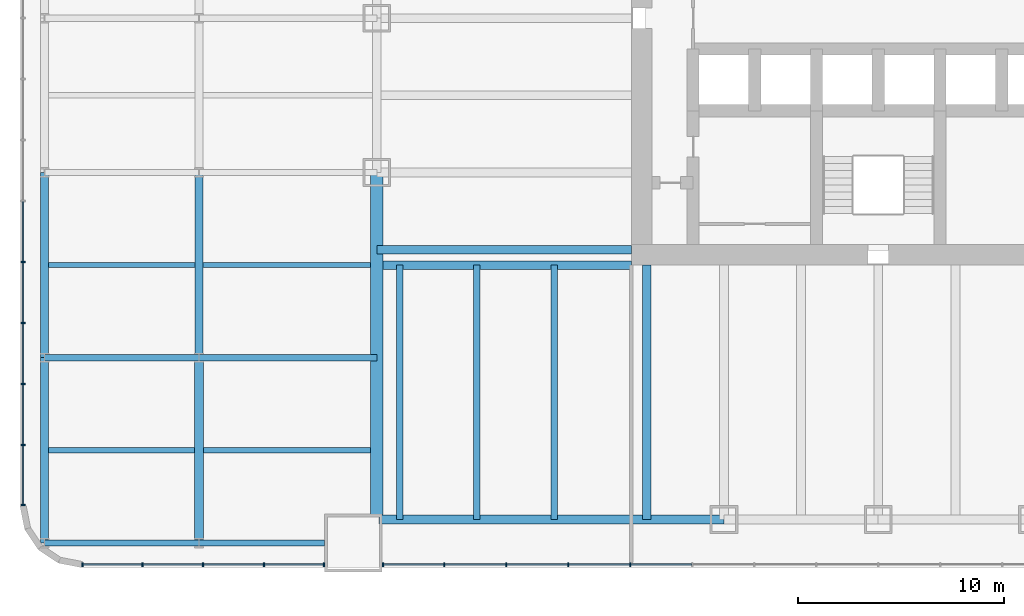
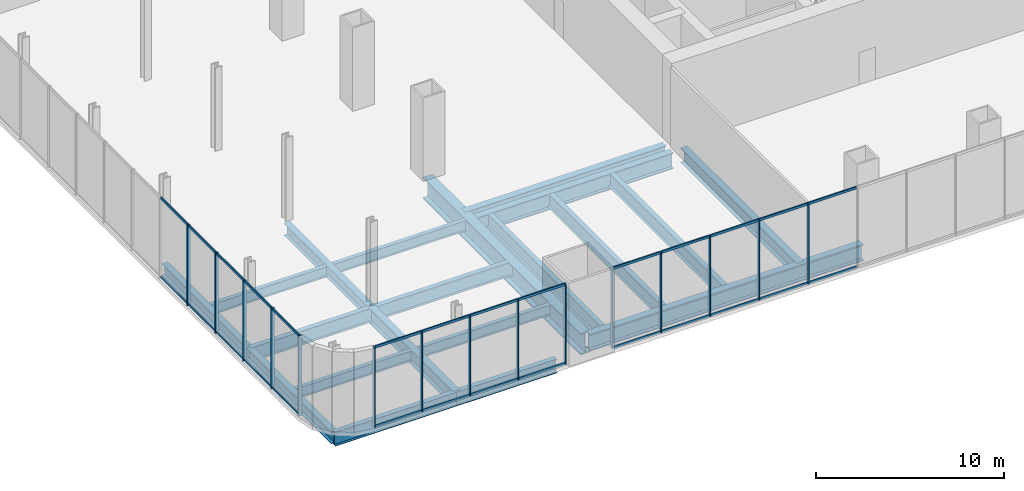
# One storey, part 2 of 17: 43 members, 20 beams, 3 elements without a shape of their own.
"""IFC4 building model written with IfcOpenShell, lengths in metres."""

from ifc_helpers import new_model, si_unit, direction, frame, origin, origin_2d, place, context, subcontext, project, spatial, rectangle, i_section, extrude, material, material_profile, profile_set, type_object, element, aggregate, save


model = new_model("IFC4")

# Units and contexts
model_context = context("Model", 3, precision=1e-05, world=origin(), true_north=direction((0.0, 1.0)))
body_context = subcontext(model_context, "Body", "Model", "MODEL_VIEW")
ifc_project = project(units=[si_unit("LENGTHUNIT", "METRE"), si_unit("AREAUNIT", "SQUARE_METRE"), si_unit("VOLUMEUNIT", "CUBIC_METRE"), si_unit("PLANEANGLEUNIT", "RADIAN"), si_unit("MASSUNIT", "GRAM", prefix="KILO")], contexts=[model_context])

# Site, building, storey
site_placement = place(None, origin())
site = spatial("IfcSite", under=ifc_project, at=site_placement, CompositionType="ELEMENT")
building_placement = place(site_placement, origin())
building = spatial("IfcBuilding", under=site, at=building_placement, Name="Tarangal Relay Tower", CompositionType="ELEMENT")
storey_placement = place(building_placement, frame((0.0, 0.0, 18.0)))
storey = spatial("IfcBuildingStorey", under=building, at=storey_placement, Name="L03", CompositionType="ELEMENT", Elevation=18.0)

# Beams
ifc_material_1 = material(Name="Steel ASTM A992", Category="steel")
ifc_material_profile_1 = material_profile(ifc_material_1, i_section(OverallWidth=0.307373046875, OverallDepth=0.927001953125, WebThickness=0.019287109375, FlangeThickness=0.031982421875, at=origin_2d()), Name="W36X194")
ifc_profile_set_1 = profile_set([ifc_material_profile_1], Name="Steel ASTM A992")
beam_type_1 = type_object("IfcBeamType", Name="Corner beam W36X194", PredefinedType="JOIST", material=ifc_profile_set_1)
for number, where, z_axis, x_axis, name in (
    (1, (-15.75, -12.0, -0.713623046875), (0.0, -1.0, 0.0), (1.0, 0.0, 0.0), "Corner beam CB10 S L03"),
    (2, (-19.5, -12.0, -0.713623046875), (0.0, -1.0, 0.0), (1.0, 0.0, 0.0), "Corner beam CB10 S L03"),
    (3, (-23.25, -12.0, -0.713623046875), (0.0, -1.0, 0.0), (1.0, 0.0, 0.0), "Corner beam CB10 S L03"),
):
    element("IfcBeam", number, at=place(storey_placement, frame(where, z_axis=z_axis, x_axis=x_axis)), inside=storey, type_object=beam_type_1, Name=name, PredefinedType="JOIST", context=body_context, shape_type="SweptSolid", body=[
        extrude(i_section(OverallWidth=0.307373046875, OverallDepth=0.927001953125, WebThickness=0.019287109375, FlangeThickness=0.031982421875, at=origin_2d()), origin(), (0.0, 0.0, 1.0), 12.364990234375),
    ])
ifc_material_profile_2 = material_profile(ifc_material_1, i_section(OverallWidth=0.408935546875, OverallDepth=1.04150390625, WebThickness=0.031005859375, FlangeThickness=0.055908203125, at=origin_2d()), Name="W40X397")
ifc_profile_set_2 = profile_set([ifc_material_profile_2], Name="Steel ASTM A992")
beam_type_2 = type_object("IfcBeamType", Name="Corner girder W40X397", PredefinedType="BEAM", material=ifc_profile_set_2)
beam_1_placement = place(storey_placement, frame((-12.0, -12.0, -0.770751953125), z_axis=(-1.0, 0.0, 0.0), x_axis=(0.0, -1.0, 0.0)))
element("IfcBeam", 4, at=beam_1_placement, inside=storey, type_object=beam_type_2, Name="Corner girder CG1 S L03", PredefinedType="BEAM", context=body_context, shape_type="SweptSolid", body=[
    extrude(i_section(OverallWidth=0.408935546875, OverallDepth=1.04150390625, WebThickness=0.031005859375, FlangeThickness=0.055908203125, at=origin_2d()), origin(), (0.0, 0.0, 1.0), 12.06494140625),
])
ifc_material_profile_3 = material_profile(ifc_material_1, i_section(OverallWidth=0.42431640625, OverallDepth=1.09228515625, WebThickness=0.04541015625, FlangeThickness=0.08203125, at=origin_2d()), Name="W40X593")
ifc_profile_set_3 = profile_set([ifc_material_profile_3], Name="Steel ASTM A992")
beam_type_3 = type_object("IfcBeamType", Name="Edge girder W40X593", PredefinedType="SPANDREL", material=ifc_profile_set_3)
beam_2_placement = place(storey_placement, frame((-7.5, -24.364990234375, -0.796142578125), z_axis=(-1.0, 0.0, 0.0), x_axis=(0.0, -1.0, 0.0)))
element("IfcBeam", 5, at=beam_2_placement, inside=storey, type_object=beam_type_3, Name="Edge girder EG9 S L03", PredefinedType="SPANDREL", context=body_context, shape_type="SweptSolid", body=[
    extrude(i_section(OverallWidth=0.42431640625, OverallDepth=1.09228515625, WebThickness=0.04541015625, FlangeThickness=0.08203125, at=origin_2d()), origin(), (0.0, 0.0, 1.0), 16.75),
])
ifc_material_profile_4 = material_profile(ifc_material_1, i_section(OverallWidth=0.42431640625, OverallDepth=0.947509765625, WebThickness=0.02392578125, FlangeThickness=0.042724609375, at=origin_2d()), Name="W36X302")
ifc_profile_set_4 = profile_set([ifc_material_profile_4], Name="Steel ASTM A992")
beam_type_4 = type_object("IfcBeamType", Name="Floor beam W36X302", PredefinedType="BEAM", material=ifc_profile_set_4)
for number, where, z_axis, x_axis, name in (
    (6, (-11.25, -12.0, -0.7236328125), (0.0, -1.0, 0.0), (1.0, 0.0, 0.0), "Floor beam RB10 S L03"),
    (7, (-12.0, -11.25, -0.7236328125), (-1.0, 0.0, 0.0), (0.0, -1.0, 0.0), "Floor beam RB10 W L03"),
):
    element("IfcBeam", number, at=place(storey_placement, frame(where, z_axis=z_axis, x_axis=x_axis)), inside=storey, type_object=beam_type_4, Name=name, PredefinedType="BEAM", context=body_context, shape_type="SweptSolid", body=[
        extrude(i_section(OverallWidth=0.42431640625, OverallDepth=0.947509765625, WebThickness=0.02392578125, FlangeThickness=0.042724609375, at=origin_2d()), origin(), (0.0, 0.0, 1.0), 12.364990234375),
    ])

# Curtain wall, members
ifc_material_2 = material(Name="Unitised curtain wall, dark glass and black aluminium", Category="aluminium")
curtain_wall_type = type_object("IfcCurtainWallType", Name="Curtain wall CW-P", PredefinedType="USERDEFINED", material=ifc_material_2)
curtain_wall_1_placement = place(storey_placement, origin())
curtain_wall_1 = element("IfcCurtainWall", 8, at=curtain_wall_1_placement, inside=storey, type_object=curtain_wall_type, Name="Curtain wall CW-P Podium W facade L03", ObjectType="UNITISED CURTAIN WALL", PredefinedType="USERDEFINED")
ifc_material_3 = material(Name="Black anodised aluminium mullion", Category="aluminium")
ifc_material_profile_5 = material_profile(ifc_material_3, rectangle(XDim=0.199951171875, YDim=0.070068359375, at=origin_2d()), Name="CW-PM 70X200")
ifc_profile_set_5 = profile_set([ifc_material_profile_5], Name="Black anodised aluminium mullion")
member_type_1 = type_object("IfcMemberType", Name="Mullion CW-P 70 x 200", PredefinedType="MULLION", material=ifc_profile_set_5)
member_1_placement = place(storey_placement, frame((-41.550048828125, -11.85009765625, 0.0), z_axis=(0.0, 0.0, 1.0), x_axis=(1.0, 0.0, 0.0)))
member_1 = element("IfcMember", 9, at=member_1_placement, type_object=member_type_1, Name="CW-P mullion 13", PredefinedType="MULLION", context=body_context, shape_type="SweptSolid", body=[
    extrude(rectangle(XDim=0.199951171875, YDim=0.070068359375, at=origin_2d()), origin(), (0.0, 0.0, 1.0), 5.199951171875),
])
member_2_placement = place(storey_placement, frame((-41.550048828125, -14.8125, 0.0), z_axis=(0.0, 0.0, 1.0), x_axis=(1.0, 0.0, 0.0)))
member_2 = element("IfcMember", 10, at=member_2_placement, type_object=member_type_1, Name="CW-P mullion 14", PredefinedType="MULLION", context=body_context, shape_type="SweptSolid", body=[
    extrude(rectangle(XDim=0.199951171875, YDim=0.070068359375, at=origin_2d()), origin(), (0.0, 0.0, 1.0), 5.199951171875),
])
member_3_placement = place(storey_placement, frame((-41.550048828125, -17.77490234375, 0.0), z_axis=(0.0, 0.0, 1.0), x_axis=(1.0, 0.0, 0.0)))
member_3 = element("IfcMember", 11, at=member_3_placement, type_object=member_type_1, Name="CW-P mullion 15", PredefinedType="MULLION", context=body_context, shape_type="SweptSolid", body=[
    extrude(rectangle(XDim=0.199951171875, YDim=0.070068359375, at=origin_2d()), origin(), (0.0, 0.0, 1.0), 5.199951171875),
])
member_4_placement = place(storey_placement, frame((-41.550048828125, -20.737548828125, 0.0), z_axis=(0.0, 0.0, 1.0), x_axis=(1.0, 0.0, 0.0)))
member_4 = element("IfcMember", 12, at=member_4_placement, type_object=member_type_1, Name="CW-P mullion 16", PredefinedType="MULLION", context=body_context, shape_type="SweptSolid", body=[
    extrude(rectangle(XDim=0.199951171875, YDim=0.070068359375, at=origin_2d()), origin(), (0.0, 0.0, 1.0), 5.199951171875),
])
member_5_placement = place(storey_placement, frame((-41.550048828125, -23.6650390625, 0.0), z_axis=(0.0, 0.0, 1.0), x_axis=(1.0, 0.0, 0.0)))
member_5 = element("IfcMember", 13, at=member_5_placement, type_object=member_type_1, Name="CW-P mullion 17", PredefinedType="MULLION", context=body_context, shape_type="SweptSolid", body=[
    extrude(rectangle(XDim=0.199951171875, YDim=0.070068359375, at=origin_2d()), origin(), (0.0, 0.0, 1.0), 5.199951171875),
])

curtain_wall_2_placement = place(storey_placement, origin())
curtain_wall_2 = element("IfcCurtainWall", 14, at=curtain_wall_2_placement, inside=storey, type_object=curtain_wall_type, Name="Curtain wall CW-P Podium S facade L03", ObjectType="UNITISED CURTAIN WALL", PredefinedType="USERDEFINED")
member_6_placement = place(storey_placement, frame((-38.6650390625, -26.550048828125, 0.0), z_axis=(0.0, 0.0, 1.0), x_axis=(0.0, 1.0, 0.0)))
member_6 = element("IfcMember", 15, at=member_6_placement, type_object=member_type_1, Name="CW-P mullion 1", PredefinedType="MULLION", context=body_context, shape_type="SweptSolid", body=[
    extrude(rectangle(XDim=0.199951171875, YDim=0.070068359375, at=origin_2d()), origin(), (0.0, 0.0, 1.0), 5.199951171875),
])
member_7_placement = place(storey_placement, frame((-35.75, -26.550048828125, 0.0), z_axis=(0.0, 0.0, 1.0), x_axis=(0.0, 1.0, 0.0)))
member_7 = element("IfcMember", 16, at=member_7_placement, type_object=member_type_1, Name="CW-P mullion 2", PredefinedType="MULLION", context=body_context, shape_type="SweptSolid", body=[
    extrude(rectangle(XDim=0.199951171875, YDim=0.070068359375, at=origin_2d()), origin(), (0.0, 0.0, 1.0), 5.199951171875),
])
member_8_placement = place(storey_placement, frame((-32.800048828125, -26.550048828125, 0.0), z_axis=(0.0, 0.0, 1.0), x_axis=(0.0, 1.0, 0.0)))
member_8 = element("IfcMember", 17, at=member_8_placement, type_object=member_type_1, Name="CW-P mullion 3", PredefinedType="MULLION", context=body_context, shape_type="SweptSolid", body=[
    extrude(rectangle(XDim=0.199951171875, YDim=0.070068359375, at=origin_2d()), origin(), (0.0, 0.0, 1.0), 5.199951171875),
])
member_9_placement = place(storey_placement, frame((-29.85009765625, -26.550048828125, 0.0), z_axis=(0.0, 0.0, 1.0), x_axis=(0.0, 1.0, 0.0)))
member_9 = element("IfcMember", 18, at=member_9_placement, type_object=member_type_1, Name="CW-P mullion 4", PredefinedType="MULLION", context=body_context, shape_type="SweptSolid", body=[
    extrude(rectangle(XDim=0.199951171875, YDim=0.070068359375, at=origin_2d()), origin(), (0.0, 0.0, 1.0), 5.199951171875),
])
member_10_placement = place(storey_placement, frame((-26.93505859375, -26.550048828125, 0.0), z_axis=(0.0, 0.0, 1.0), x_axis=(0.0, 1.0, 0.0)))
member_10 = element("IfcMember", 19, at=member_10_placement, type_object=member_type_1, Name="CW-P mullion 5", PredefinedType="MULLION", context=body_context, shape_type="SweptSolid", body=[
    extrude(rectangle(XDim=0.199951171875, YDim=0.070068359375, at=origin_2d()), origin(), (0.0, 0.0, 1.0), 5.199951171875),
])

curtain_wall_3_placement = place(storey_placement, origin())
curtain_wall_3 = element("IfcCurtainWall", 20, at=curtain_wall_3_placement, inside=storey, type_object=curtain_wall_type, Name="Curtain wall CW-P Podium S facade L03", ObjectType="UNITISED CURTAIN WALL", PredefinedType="USERDEFINED")
member_11_placement = place(storey_placement, frame((-24.06494140625, -26.550048828125, 0.0), z_axis=(0.0, 0.0, 1.0), x_axis=(0.0, 1.0, 0.0)))
member_11 = element("IfcMember", 21, at=member_11_placement, type_object=member_type_1, Name="CW-P mullion 1", PredefinedType="MULLION", context=body_context, shape_type="SweptSolid", body=[
    extrude(rectangle(XDim=0.199951171875, YDim=0.070068359375, at=origin_2d()), origin(), (0.0, 0.0, 1.0), 5.199951171875),
])
member_12_placement = place(storey_placement, frame((-21.08740234375, -26.550048828125, 0.0), z_axis=(0.0, 0.0, 1.0), x_axis=(0.0, 1.0, 0.0)))
member_12 = element("IfcMember", 22, at=member_12_placement, type_object=member_type_1, Name="CW-P mullion 2", PredefinedType="MULLION", context=body_context, shape_type="SweptSolid", body=[
    extrude(rectangle(XDim=0.199951171875, YDim=0.070068359375, at=origin_2d()), origin(), (0.0, 0.0, 1.0), 5.199951171875),
])
member_13_placement = place(storey_placement, frame((-18.074951171875, -26.550048828125, 0.0), z_axis=(0.0, 0.0, 1.0), x_axis=(0.0, 1.0, 0.0)))
member_13 = element("IfcMember", 23, at=member_13_placement, type_object=member_type_1, Name="CW-P mullion 3", PredefinedType="MULLION", context=body_context, shape_type="SweptSolid", body=[
    extrude(rectangle(XDim=0.199951171875, YDim=0.070068359375, at=origin_2d()), origin(), (0.0, 0.0, 1.0), 5.199951171875),
])
member_14_placement = place(storey_placement, frame((-15.0625, -26.550048828125, 0.0), z_axis=(0.0, 0.0, 1.0), x_axis=(0.0, 1.0, 0.0)))
member_14 = element("IfcMember", 24, at=member_14_placement, type_object=member_type_1, Name="CW-P mullion 4", PredefinedType="MULLION", context=body_context, shape_type="SweptSolid", body=[
    extrude(rectangle(XDim=0.199951171875, YDim=0.070068359375, at=origin_2d()), origin(), (0.0, 0.0, 1.0), 5.199951171875),
])
member_15_placement = place(storey_placement, frame((-12.050048828125, -26.550048828125, 0.0), z_axis=(0.0, 0.0, 1.0), x_axis=(0.0, 1.0, 0.0)))
member_15 = element("IfcMember", 25, at=member_15_placement, type_object=member_type_1, Name="CW-P mullion 5", PredefinedType="MULLION", context=body_context, shape_type="SweptSolid", body=[
    extrude(rectangle(XDim=0.199951171875, YDim=0.070068359375, at=origin_2d()), origin(), (0.0, 0.0, 1.0), 5.199951171875),
])

# Beams
ifc_material_profile_6 = material_profile(ifc_material_1, i_section(OverallWidth=0.3046875, OverallDepth=0.911865234375, WebThickness=0.015869140625, FlangeThickness=0.02392578125, at=origin_2d()), Name="W36X150")
ifc_profile_set_6 = profile_set([ifc_material_profile_6], Name="Steel ASTM A992")
beam_type_5 = type_object("IfcBeamType", Name="Podium beam W36X150", PredefinedType="BEAM", material=ifc_profile_set_6)
beam_3_placement = place(storey_placement, frame((-26.89990234375, -25.5, -0.7060546875), z_axis=(-1.0, 0.0, 0.0), x_axis=(0.0, -1.0, 0.0)))
element("IfcBeam", 26, at=beam_3_placement, inside=storey, type_object=beam_type_5, Name="Podium beam PB1 L03", PredefinedType="BEAM", context=body_context, shape_type="SweptSolid", body=[
    extrude(i_section(OverallWidth=0.3046875, OverallDepth=0.911865234375, WebThickness=0.015869140625, FlangeThickness=0.02392578125, at=origin_2d()), origin(), (0.0, 0.0, 1.0), 6.10009765625),
])
beam_4_placement = place(storey_placement, frame((-33.0, -25.5, -0.7060546875), z_axis=(-1.0, 0.0, 0.0), x_axis=(0.0, -1.0, 0.0)))
element("IfcBeam", 27, at=beam_4_placement, inside=storey, type_object=beam_type_5, Name="Podium beam PB1 L03", PredefinedType="BEAM", context=body_context, shape_type="SweptSolid", body=[
    extrude(i_section(OverallWidth=0.3046875, OverallDepth=0.911865234375, WebThickness=0.015869140625, FlangeThickness=0.02392578125, at=origin_2d()), origin(), (0.0, 0.0, 1.0), 7.5),
])
beam_5_placement = place(storey_placement, frame((-24.364990234375, -16.5, -0.7060546875), z_axis=(-1.0, 0.0, 0.0), x_axis=(0.0, -1.0, 0.0)))
element("IfcBeam", 28, at=beam_5_placement, inside=storey, type_object=beam_type_5, Name="Podium beam PB1 L03", PredefinedType="BEAM", context=body_context, shape_type="SweptSolid", body=[
    extrude(i_section(OverallWidth=0.3046875, OverallDepth=0.911865234375, WebThickness=0.015869140625, FlangeThickness=0.02392578125, at=origin_2d()), origin(), (0.0, 0.0, 1.0), 8.635009765625),
])
beam_6_placement = place(storey_placement, frame((-33.0, -16.5, -0.7060546875), z_axis=(-1.0, 0.0, 0.0), x_axis=(0.0, -1.0, 0.0)))
element("IfcBeam", 29, at=beam_6_placement, inside=storey, type_object=beam_type_5, Name="Podium beam PB1 L03", PredefinedType="BEAM", context=body_context, shape_type="SweptSolid", body=[
    extrude(i_section(OverallWidth=0.3046875, OverallDepth=0.911865234375, WebThickness=0.015869140625, FlangeThickness=0.02392578125, at=origin_2d()), origin(), (0.0, 0.0, 1.0), 7.5),
])
ifc_material_profile_7 = material_profile(ifc_material_1, i_section(OverallWidth=0.383544921875, OverallDepth=0.784912109375, WebThickness=0.019775390625, FlangeThickness=0.033447265625, at=origin_2d()), Name="W30X211")
ifc_profile_set_7 = profile_set([ifc_material_profile_7], Name="Steel ASTM A992")
beam_type_6 = type_object("IfcBeamType", Name="Podium girder W30X211", PredefinedType="BEAM", material=ifc_profile_set_7)
for number, where, z_axis, x_axis, name in (
    (30, (-33.0, -16.5, -0.642578125), (0.0, 1.0, 0.0), (-1.0, 0.0, 0.0), "Podium girder PG1 L03"),
    (31, (-40.5, -25.5, -0.642578125), (0.0, 1.0, 0.0), (-1.0, 0.0, 0.0), "Podium girder PG1 L03"),
    (32, (-40.5, -16.5, -0.642578125), (0.0, 1.0, 0.0), (-1.0, 0.0, 0.0), "Podium girder PG1 L03"),
):
    element("IfcBeam", number, at=place(storey_placement, frame(where, z_axis=z_axis, x_axis=x_axis)), inside=storey, type_object=beam_type_6, Name=name, PredefinedType="BEAM", context=body_context, shape_type="SweptSolid", body=[
        extrude(i_section(OverallWidth=0.383544921875, OverallDepth=0.784912109375, WebThickness=0.019775390625, FlangeThickness=0.033447265625, at=origin_2d()), origin(), (0.0, 0.0, 1.0), 9.0),
    ])
ifc_material_profile_8 = material_profile(ifc_material_1, i_section(OverallWidth=0.42431640625, OverallDepth=0.947509765625, WebThickness=0.02392578125, FlangeThickness=0.042724609375, at=origin_2d()), Name="W36X302")
ifc_profile_set_8 = profile_set([ifc_material_profile_8], Name="Steel ASTM A992")
beam_type_7 = type_object("IfcBeamType", Name="Podium girder W36X302", PredefinedType="BEAM", material=ifc_profile_set_8)
beam_7_placement = place(storey_placement, frame((-33.0, -25.5, -0.7236328125), z_axis=(0.0, 1.0, 0.0), x_axis=(-1.0, 0.0, 0.0)))
element("IfcBeam", 33, at=beam_7_placement, inside=storey, type_object=beam_type_7, Name="Podium girder PG2 L03", PredefinedType="BEAM", context=body_context, shape_type="SweptSolid", body=[
    extrude(i_section(OverallWidth=0.42431640625, OverallDepth=0.947509765625, WebThickness=0.02392578125, FlangeThickness=0.042724609375, at=origin_2d()), origin(), (0.0, 0.0, 1.0), 9.0),
])
ifc_material_profile_9 = material_profile(ifc_material_1, i_section(OverallWidth=0.25390625, OverallDepth=0.683349609375, WebThickness=0.012451171875, FlangeThickness=0.018798828125, at=origin_2d()), Name="W27X94")
ifc_profile_set_9 = profile_set([ifc_material_profile_9], Name="Steel ASTM A992")
beam_type_8 = type_object("IfcBeamType", Name="Podium joist W27X94", PredefinedType="JOIST", material=ifc_profile_set_9)
beam_8_placement = place(storey_placement, frame((-24.6650390625, -21.0, -0.591796875), z_axis=(-1.0, 0.0, 0.0), x_axis=(0.0, -1.0, 0.0)))
element("IfcBeam", 34, at=beam_8_placement, inside=storey, type_object=beam_type_8, Name="Podium joist PJ1 L03", PredefinedType="JOIST", context=body_context, shape_type="SweptSolid", body=[
    extrude(i_section(OverallWidth=0.25390625, OverallDepth=0.683349609375, WebThickness=0.012451171875, FlangeThickness=0.018798828125, at=origin_2d()), origin(), (0.0, 0.0, 1.0), 8.123046875),
])
beam_9_placement = place(storey_placement, frame((-33.2119140625, -21.0, -0.591796875), z_axis=(-1.0, 0.0, 0.0), x_axis=(0.0, -1.0, 0.0)))
element("IfcBeam", 35, at=beam_9_placement, inside=storey, type_object=beam_type_8, Name="Podium joist PJ1 L03", PredefinedType="JOIST", context=body_context, shape_type="SweptSolid", body=[
    extrude(i_section(OverallWidth=0.25390625, OverallDepth=0.683349609375, WebThickness=0.012451171875, FlangeThickness=0.018798828125, at=origin_2d()), origin(), (0.0, 0.0, 1.0), 7.09716796875),
])
beam_10_placement = place(storey_placement, frame((-24.6650390625, -12.0, -0.591796875), z_axis=(-1.0, 0.0, 0.0), x_axis=(0.0, -1.0, 0.0)))
element("IfcBeam", 36, at=beam_10_placement, inside=storey, type_object=beam_type_8, Name="Podium joist PJ1 L03", PredefinedType="JOIST", context=body_context, shape_type="SweptSolid", body=[
    extrude(i_section(OverallWidth=0.25390625, OverallDepth=0.683349609375, WebThickness=0.012451171875, FlangeThickness=0.018798828125, at=origin_2d()), origin(), (0.0, 0.0, 1.0), 8.14404296875),
])
beam_11_placement = place(storey_placement, frame((-33.19091796875, -12.0, -0.591796875), z_axis=(-1.0, 0.0, 0.0), x_axis=(0.0, -1.0, 0.0)))
element("IfcBeam", 37, at=beam_11_placement, inside=storey, type_object=beam_type_8, Name="Podium joist PJ1 L03", PredefinedType="JOIST", context=body_context, shape_type="SweptSolid", body=[
    extrude(i_section(OverallWidth=0.25390625, OverallDepth=0.683349609375, WebThickness=0.012451171875, FlangeThickness=0.018798828125, at=origin_2d()), origin(), (0.0, 0.0, 1.0), 7.1181640625),
])
ifc_material_4 = material(Name="Steel ASTM A572 Grade 50", Category="steel")
ifc_material_profile_10 = material_profile(ifc_material_4, i_section(OverallWidth=0.60009765625, OverallDepth=1.39990234375, WebThickness=0.030029296875, FlangeThickness=0.080078125, at=origin_2d()), Name="PG1400X600X80X30")
ifc_profile_set_10 = profile_set([ifc_material_profile_10], Name="Steel ASTM A572 Grade 50")
beam_type_9 = type_object("IfcBeamType", Name="Transfer girder PG1400X600X80X30", PredefinedType="SPANDREL", material=ifc_profile_set_10)
beam_12_placement = place(storey_placement, frame((-24.364990234375, -24.25, -0.949951171875), z_axis=(0.0, 1.0, 0.0), x_axis=(-1.0, 0.0, 0.0)))
element("IfcBeam", 38, at=beam_12_placement, inside=storey, type_object=beam_type_9, Name="Transfer girder TG1 W L03", PredefinedType="SPANDREL", context=body_context, shape_type="SweptSolid", body=[
    extrude(i_section(OverallWidth=0.60009765625, OverallDepth=1.39990234375, WebThickness=0.030029296875, FlangeThickness=0.080078125, at=origin_2d()), origin(), (0.0, 0.0, 1.0), 16.75),
])

# Member
ifc_material_5 = material(Name="Black anodised aluminium transom", Category="aluminium")
ifc_material_profile_11 = material_profile(ifc_material_5, rectangle(XDim=0.070068359375, YDim=0.159912109375, at=origin_2d()), Name="CW-PT 70X160")
ifc_profile_set_11 = profile_set([ifc_material_profile_11], Name="Black anodised aluminium transom")
member_type_2 = type_object("IfcMemberType", Name="Transom CW-P 70 x 160", PredefinedType="USERDEFINED", material=ifc_profile_set_11)
member_16_placement = place(storey_placement, frame((-41.550048828125, -8.922607421875, 0.034912109375), z_axis=(0.0, -1.0, 0.0), x_axis=(1.0, 0.0, 0.0)))
member_16 = element("IfcMember", 39, at=member_16_placement, type_object=member_type_2, Name="CW-P transom 12.1", ObjectType="TRANSOM", PredefinedType="USERDEFINED", context=body_context, shape_type="SweptSolid", body=[
    extrude(rectangle(XDim=0.070068359375, YDim=0.159912109375, at=origin_2d()), origin(), (0.0, 0.0, 1.0), 2.892333984375),
])

member_17_placement = place(storey_placement, frame((-41.550048828125, -8.922607421875, 5.1650390625), z_axis=(0.0, -1.0, 0.0), x_axis=(1.0, 0.0, 0.0)))
member_17 = element("IfcMember", 40, at=member_17_placement, type_object=member_type_2, Name="CW-P transom 12.2", ObjectType="TRANSOM", PredefinedType="USERDEFINED", context=body_context, shape_type="SweptSolid", body=[
    extrude(rectangle(XDim=0.070068359375, YDim=0.159912109375, at=origin_2d()), origin(), (0.0, 0.0, 1.0), 2.892333984375),
])

member_18_placement = place(storey_placement, frame((-41.550048828125, -11.885009765625, 0.034912109375), z_axis=(0.0, -1.0, 0.0), x_axis=(1.0, 0.0, 0.0)))
member_18 = element("IfcMember", 41, at=member_18_placement, type_object=member_type_2, Name="CW-P transom 13.1", ObjectType="TRANSOM", PredefinedType="USERDEFINED", context=body_context, shape_type="SweptSolid", body=[
    extrude(rectangle(XDim=0.070068359375, YDim=0.159912109375, at=origin_2d()), origin(), (0.0, 0.0, 1.0), 2.892578125),
])

member_19_placement = place(storey_placement, frame((-41.550048828125, -11.885009765625, 5.1650390625), z_axis=(0.0, -1.0, 0.0), x_axis=(1.0, 0.0, 0.0)))
member_19 = element("IfcMember", 42, at=member_19_placement, type_object=member_type_2, Name="CW-P transom 13.2", ObjectType="TRANSOM", PredefinedType="USERDEFINED", context=body_context, shape_type="SweptSolid", body=[
    extrude(rectangle(XDim=0.070068359375, YDim=0.159912109375, at=origin_2d()), origin(), (0.0, 0.0, 1.0), 2.892578125),
])

member_20_placement = place(storey_placement, frame((-41.550048828125, -14.847412109375, 0.034912109375), z_axis=(0.0, -1.0, 0.0), x_axis=(1.0, 0.0, 0.0)))
member_20 = element("IfcMember", 43, at=member_20_placement, type_object=member_type_2, Name="CW-P transom 14.1", ObjectType="TRANSOM", PredefinedType="USERDEFINED", context=body_context, shape_type="SweptSolid", body=[
    extrude(rectangle(XDim=0.070068359375, YDim=0.159912109375, at=origin_2d()), origin(), (0.0, 0.0, 1.0), 2.892578125),
])

member_21_placement = place(storey_placement, frame((-41.550048828125, -14.847412109375, 5.1650390625), z_axis=(0.0, -1.0, 0.0), x_axis=(1.0, 0.0, 0.0)))
member_21 = element("IfcMember", 44, at=member_21_placement, type_object=member_type_2, Name="CW-P transom 14.2", ObjectType="TRANSOM", PredefinedType="USERDEFINED", context=body_context, shape_type="SweptSolid", body=[
    extrude(rectangle(XDim=0.070068359375, YDim=0.159912109375, at=origin_2d()), origin(), (0.0, 0.0, 1.0), 2.892578125),
])

member_22_placement = place(storey_placement, frame((-41.550048828125, -17.81005859375, 0.034912109375), z_axis=(0.0, -1.0, 0.0), x_axis=(1.0, 0.0, 0.0)))
member_22 = element("IfcMember", 45, at=member_22_placement, type_object=member_type_2, Name="CW-P transom 15.1", ObjectType="TRANSOM", PredefinedType="USERDEFINED", context=body_context, shape_type="SweptSolid", body=[
    extrude(rectangle(XDim=0.070068359375, YDim=0.159912109375, at=origin_2d()), origin(), (0.0, 0.0, 1.0), 2.892333984375),
])

member_23_placement = place(storey_placement, frame((-41.550048828125, -17.81005859375, 5.1650390625), z_axis=(0.0, -1.0, 0.0), x_axis=(1.0, 0.0, 0.0)))
member_23 = element("IfcMember", 46, at=member_23_placement, type_object=member_type_2, Name="CW-P transom 15.2", ObjectType="TRANSOM", PredefinedType="USERDEFINED", context=body_context, shape_type="SweptSolid", body=[
    extrude(rectangle(XDim=0.070068359375, YDim=0.159912109375, at=origin_2d()), origin(), (0.0, 0.0, 1.0), 2.892333984375),
])

member_24_placement = place(storey_placement, frame((-41.550048828125, -20.7724609375, 0.034912109375), z_axis=(0.0, -1.0, 0.0), x_axis=(1.0, 0.0, 0.0)))
member_24 = element("IfcMember", 47, at=member_24_placement, type_object=member_type_2, Name="CW-P transom 16.1", ObjectType="TRANSOM", PredefinedType="USERDEFINED", context=body_context, shape_type="SweptSolid", body=[
    extrude(rectangle(XDim=0.070068359375, YDim=0.159912109375, at=origin_2d()), origin(), (0.0, 0.0, 1.0), 2.857421875),
])

member_25_placement = place(storey_placement, frame((-41.550048828125, -20.7724609375, 5.1650390625), z_axis=(0.0, -1.0, 0.0), x_axis=(1.0, 0.0, 0.0)))
member_25 = element("IfcMember", 48, at=member_25_placement, type_object=member_type_2, Name="CW-P transom 16.2", ObjectType="TRANSOM", PredefinedType="USERDEFINED", context=body_context, shape_type="SweptSolid", body=[
    extrude(rectangle(XDim=0.070068359375, YDim=0.159912109375, at=origin_2d()), origin(), (0.0, 0.0, 1.0), 2.857421875),
])

aggregate(curtain_wall_1, [member_1, member_2, member_3, member_4, member_5, member_16, member_17, member_18, member_19, member_20, member_21, member_22, member_23, member_24, member_25])

member_26_placement = place(storey_placement, frame((-38.6298828125, -26.550048828125, 0.034912109375), z_axis=(1.0, 0.0, 0.0), x_axis=(0.0, 1.0, 0.0)))
member_26 = element("IfcMember", 49, at=member_26_placement, type_object=member_type_2, Name="CW-P transom 1.1", ObjectType="TRANSOM", PredefinedType="USERDEFINED", context=body_context, shape_type="SweptSolid", body=[
    extrude(rectangle(XDim=0.070068359375, YDim=0.159912109375, at=origin_2d()), origin(), (0.0, 0.0, 1.0), 2.844970703125),
])

member_27_placement = place(storey_placement, frame((-38.6298828125, -26.550048828125, 5.1650390625), z_axis=(1.0, 0.0, 0.0), x_axis=(0.0, 1.0, 0.0)))
member_27 = element("IfcMember", 50, at=member_27_placement, type_object=member_type_2, Name="CW-P transom 1.2", ObjectType="TRANSOM", PredefinedType="USERDEFINED", context=body_context, shape_type="SweptSolid", body=[
    extrude(rectangle(XDim=0.070068359375, YDim=0.159912109375, at=origin_2d()), origin(), (0.0, 0.0, 1.0), 2.844970703125),
])

member_28_placement = place(storey_placement, frame((-35.715087890625, -26.550048828125, 0.034912109375), z_axis=(1.0, 0.0, 0.0), x_axis=(0.0, 1.0, 0.0)))
member_28 = element("IfcMember", 51, at=member_28_placement, type_object=member_type_2, Name="CW-P transom 2.1", ObjectType="TRANSOM", PredefinedType="USERDEFINED", context=body_context, shape_type="SweptSolid", body=[
    extrude(rectangle(XDim=0.070068359375, YDim=0.159912109375, at=origin_2d()), origin(), (0.0, 0.0, 1.0), 2.880126953125),
])

member_29_placement = place(storey_placement, frame((-35.715087890625, -26.550048828125, 5.1650390625), z_axis=(1.0, 0.0, 0.0), x_axis=(0.0, 1.0, 0.0)))
member_29 = element("IfcMember", 52, at=member_29_placement, type_object=member_type_2, Name="CW-P transom 2.2", ObjectType="TRANSOM", PredefinedType="USERDEFINED", context=body_context, shape_type="SweptSolid", body=[
    extrude(rectangle(XDim=0.070068359375, YDim=0.159912109375, at=origin_2d()), origin(), (0.0, 0.0, 1.0), 2.880126953125),
])

member_30_placement = place(storey_placement, frame((-32.764892578125, -26.550048828125, 0.034912109375), z_axis=(1.0, 0.0, 0.0), x_axis=(0.0, 1.0, 0.0)))
member_30 = element("IfcMember", 53, at=member_30_placement, type_object=member_type_2, Name="CW-P transom 3.1", ObjectType="TRANSOM", PredefinedType="USERDEFINED", context=body_context, shape_type="SweptSolid", body=[
    extrude(rectangle(XDim=0.070068359375, YDim=0.159912109375, at=origin_2d()), origin(), (0.0, 0.0, 1.0), 2.8798828125),
])

member_31_placement = place(storey_placement, frame((-32.764892578125, -26.550048828125, 5.1650390625), z_axis=(1.0, 0.0, 0.0), x_axis=(0.0, 1.0, 0.0)))
member_31 = element("IfcMember", 54, at=member_31_placement, type_object=member_type_2, Name="CW-P transom 3.2", ObjectType="TRANSOM", PredefinedType="USERDEFINED", context=body_context, shape_type="SweptSolid", body=[
    extrude(rectangle(XDim=0.070068359375, YDim=0.159912109375, at=origin_2d()), origin(), (0.0, 0.0, 1.0), 2.8798828125),
])

member_32_placement = place(storey_placement, frame((-29.81494140625, -26.550048828125, 0.034912109375), z_axis=(1.0, 0.0, 0.0), x_axis=(0.0, 1.0, 0.0)))
member_32 = element("IfcMember", 55, at=member_32_placement, type_object=member_type_2, Name="CW-P transom 4.1", ObjectType="TRANSOM", PredefinedType="USERDEFINED", context=body_context, shape_type="SweptSolid", body=[
    extrude(rectangle(XDim=0.070068359375, YDim=0.159912109375, at=origin_2d()), origin(), (0.0, 0.0, 1.0), 2.844970703125),
])

member_33_placement = place(storey_placement, frame((-29.81494140625, -26.550048828125, 5.1650390625), z_axis=(1.0, 0.0, 0.0), x_axis=(0.0, 1.0, 0.0)))
member_33 = element("IfcMember", 56, at=member_33_placement, type_object=member_type_2, Name="CW-P transom 4.2", ObjectType="TRANSOM", PredefinedType="USERDEFINED", context=body_context, shape_type="SweptSolid", body=[
    extrude(rectangle(XDim=0.070068359375, YDim=0.159912109375, at=origin_2d()), origin(), (0.0, 0.0, 1.0), 2.844970703125),
])

aggregate(curtain_wall_2, [member_6, member_7, member_8, member_9, member_10, member_26, member_27, member_28, member_29, member_30, member_31, member_32, member_33])

member_34_placement = place(storey_placement, frame((-24.030029296875, -26.550048828125, 0.034912109375), z_axis=(1.0, 0.0, 0.0), x_axis=(0.0, 1.0, 0.0)))
member_34 = element("IfcMember", 57, at=member_34_placement, type_object=member_type_2, Name="CW-P transom 1.1", ObjectType="TRANSOM", PredefinedType="USERDEFINED", context=body_context, shape_type="SweptSolid", body=[
    extrude(rectangle(XDim=0.070068359375, YDim=0.159912109375, at=origin_2d()), origin(), (0.0, 0.0, 1.0), 2.907470703125),
])

member_35_placement = place(storey_placement, frame((-24.030029296875, -26.550048828125, 5.1650390625), z_axis=(1.0, 0.0, 0.0), x_axis=(0.0, 1.0, 0.0)))
member_35 = element("IfcMember", 58, at=member_35_placement, type_object=member_type_2, Name="CW-P transom 1.2", ObjectType="TRANSOM", PredefinedType="USERDEFINED", context=body_context, shape_type="SweptSolid", body=[
    extrude(rectangle(XDim=0.070068359375, YDim=0.159912109375, at=origin_2d()), origin(), (0.0, 0.0, 1.0), 2.907470703125),
])

member_36_placement = place(storey_placement, frame((-21.052490234375, -26.550048828125, 0.034912109375), z_axis=(1.0, 0.0, 0.0), x_axis=(0.0, 1.0, 0.0)))
member_36 = element("IfcMember", 59, at=member_36_placement, type_object=member_type_2, Name="CW-P transom 2.1", ObjectType="TRANSOM", PredefinedType="USERDEFINED", context=body_context, shape_type="SweptSolid", body=[
    extrude(rectangle(XDim=0.070068359375, YDim=0.159912109375, at=origin_2d()), origin(), (0.0, 0.0, 1.0), 2.9423828125),
])

member_37_placement = place(storey_placement, frame((-21.052490234375, -26.550048828125, 5.1650390625), z_axis=(1.0, 0.0, 0.0), x_axis=(0.0, 1.0, 0.0)))
member_37 = element("IfcMember", 60, at=member_37_placement, type_object=member_type_2, Name="CW-P transom 2.2", ObjectType="TRANSOM", PredefinedType="USERDEFINED", context=body_context, shape_type="SweptSolid", body=[
    extrude(rectangle(XDim=0.070068359375, YDim=0.159912109375, at=origin_2d()), origin(), (0.0, 0.0, 1.0), 2.9423828125),
])

member_38_placement = place(storey_placement, frame((-18.0400390625, -26.550048828125, 0.034912109375), z_axis=(1.0, 0.0, 0.0), x_axis=(0.0, 1.0, 0.0)))
member_38 = element("IfcMember", 61, at=member_38_placement, type_object=member_type_2, Name="CW-P transom 3.1", ObjectType="TRANSOM", PredefinedType="USERDEFINED", context=body_context, shape_type="SweptSolid", body=[
    extrude(rectangle(XDim=0.070068359375, YDim=0.159912109375, at=origin_2d()), origin(), (0.0, 0.0, 1.0), 2.942626953125),
])

member_39_placement = place(storey_placement, frame((-18.0400390625, -26.550048828125, 5.1650390625), z_axis=(1.0, 0.0, 0.0), x_axis=(0.0, 1.0, 0.0)))
member_39 = element("IfcMember", 62, at=member_39_placement, type_object=member_type_2, Name="CW-P transom 3.2", ObjectType="TRANSOM", PredefinedType="USERDEFINED", context=body_context, shape_type="SweptSolid", body=[
    extrude(rectangle(XDim=0.070068359375, YDim=0.159912109375, at=origin_2d()), origin(), (0.0, 0.0, 1.0), 2.942626953125),
])

member_40_placement = place(storey_placement, frame((-15.027587890625, -26.550048828125, 0.034912109375), z_axis=(1.0, 0.0, 0.0), x_axis=(0.0, 1.0, 0.0)))
member_40 = element("IfcMember", 63, at=member_40_placement, type_object=member_type_2, Name="CW-P transom 4.1", ObjectType="TRANSOM", PredefinedType="USERDEFINED", context=body_context, shape_type="SweptSolid", body=[
    extrude(rectangle(XDim=0.070068359375, YDim=0.159912109375, at=origin_2d()), origin(), (0.0, 0.0, 1.0), 2.942626953125),
])

member_41_placement = place(storey_placement, frame((-15.027587890625, -26.550048828125, 5.1650390625), z_axis=(1.0, 0.0, 0.0), x_axis=(0.0, 1.0, 0.0)))
member_41 = element("IfcMember", 64, at=member_41_placement, type_object=member_type_2, Name="CW-P transom 4.2", ObjectType="TRANSOM", PredefinedType="USERDEFINED", context=body_context, shape_type="SweptSolid", body=[
    extrude(rectangle(XDim=0.070068359375, YDim=0.159912109375, at=origin_2d()), origin(), (0.0, 0.0, 1.0), 2.942626953125),
])

member_42_placement = place(storey_placement, frame((-12.014892578125, -26.550048828125, 0.034912109375), z_axis=(1.0, 0.0, 0.0), x_axis=(0.0, 1.0, 0.0)))
member_42 = element("IfcMember", 65, at=member_42_placement, type_object=member_type_2, Name="CW-P transom 5.1", ObjectType="TRANSOM", PredefinedType="USERDEFINED", context=body_context, shape_type="SweptSolid", body=[
    extrude(rectangle(XDim=0.070068359375, YDim=0.159912109375, at=origin_2d()), origin(), (0.0, 0.0, 1.0), 2.9423828125),
])

member_43_placement = place(storey_placement, frame((-12.014892578125, -26.550048828125, 5.1650390625), z_axis=(1.0, 0.0, 0.0), x_axis=(0.0, 1.0, 0.0)))
member_43 = element("IfcMember", 66, at=member_43_placement, type_object=member_type_2, Name="CW-P transom 5.2", ObjectType="TRANSOM", PredefinedType="USERDEFINED", context=body_context, shape_type="SweptSolid", body=[
    extrude(rectangle(XDim=0.070068359375, YDim=0.159912109375, at=origin_2d()), origin(), (0.0, 0.0, 1.0), 2.9423828125),
])

aggregate(curtain_wall_3, [member_11, member_12, member_13, member_14, member_15, member_34, member_35, member_36, member_37, member_38, member_39, member_40, member_41, member_42, member_43])

save(model, "model.ifc")
